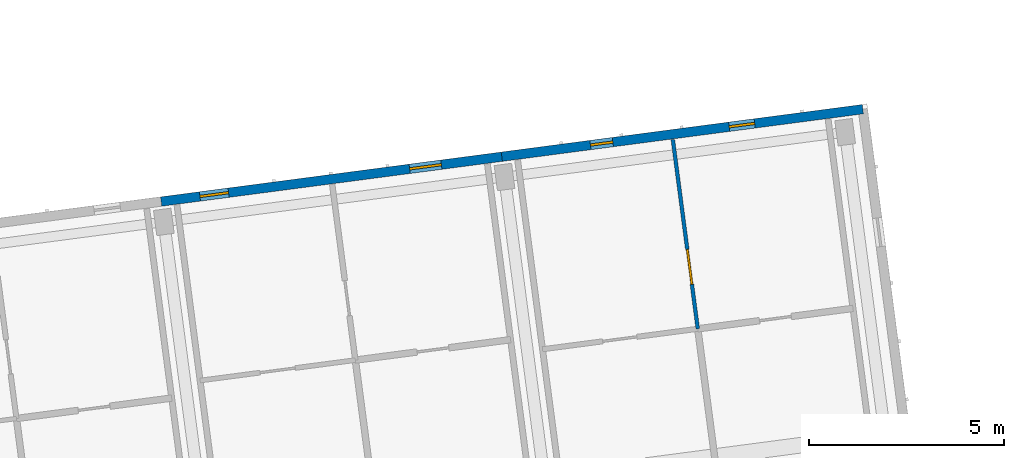
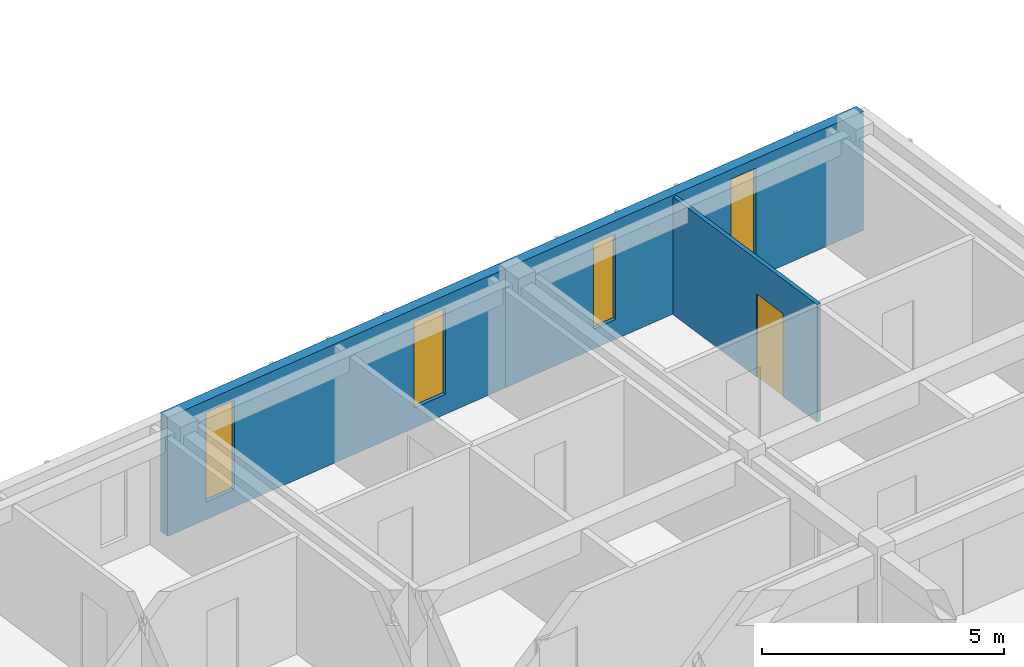
# One storey, part 15 of 34: 4 windows, 3 walls, 1 door, 5 openings.
"""IFC4 building model written with IfcOpenShell, lengths in metres."""

from ifc_helpers import new_model, si_unit, direction, frame, frame_2d, origin, place, context, subcontext, project, spatial, rectangle, extrude, material, layer, layer_set, type_object, element, fill, save


model = new_model("IFC4")

# Units and contexts
model_context = context("Model", 3, precision=1e-05, world=origin(), true_north=direction((0.0, 1.0)))
body_context = subcontext(model_context, "Body", "Model", "MODEL_VIEW")
ifc_project = project(units=[si_unit("LENGTHUNIT", "METRE"), si_unit("AREAUNIT", "SQUARE_METRE"), si_unit("VOLUMEUNIT", "CUBIC_METRE"), si_unit("PLANEANGLEUNIT", "RADIAN"), si_unit("MASSUNIT", "GRAM", prefix="KILO")], contexts=[model_context])

# Site, building, storey
site_placement = place(None, origin())
site = spatial("IfcSite", under=ifc_project, at=site_placement, CompositionType="ELEMENT")
building_placement = place(site_placement, origin())
building = spatial("IfcBuilding", under=site, at=building_placement, Name="Kestramere Prow Commons", CompositionType="ELEMENT")
storey_placement = place(building_placement, frame((0.0, 0.0, 34.39990234375)))
storey = spatial("IfcBuildingStorey", under=building, at=storey_placement, Name="L10", CompositionType="ELEMENT", Elevation=34.39990234375)

# Wall, openings, windows
ifc_material_1 = material(Name="Fluoropolymer Standing-Seam Zinc-Aluminium Cladding", Category="aluminium")
ifc_layer_1 = layer(ifc_material_1, 0.239990234375)
ifc_layer_set_1 = layer_set([ifc_layer_1], Name="Fluoropolymer Standing-Seam Zinc-Aluminium Cladding")
wall_type_1 = type_object("IfcWallType", Name="EW-SEAM-240", PredefinedType="SOLIDWALL", material=ifc_layer_set_1)
wall_1_placement = place(storey_placement, frame((43.419921875, 96.94384765625, 0.0), z_axis=(0.0, 0.0, 1.0), x_axis=(0.991443905089, 0.130533455715, 0.0)))
wall_1 = element("IfcWall", 1, at=wall_1_placement, inside=storey, type_object=wall_type_1, Name="Block A L10 North Standing-Seam Wall 5", PredefinedType="SOLIDWALL", context=body_context, shape_type="SweptSolid", body=[
    extrude(rectangle(XDim=8.7998046875, YDim=0.239990234375, at=frame_2d((4.39990234375, 0.0))), origin(), (0.0, 0.0, 1.0), 3.0),
])
opening_1_placement = place(wall_1_placement, frame((1.000732421875, 0.0, 0.43994140625)))
opening_1 = element("IfcOpeningElement", 2, at=opening_1_placement, cuts=wall_1, Name="Opening WN-09", PredefinedType="OPENING", context=body_context, shape_type="SweptSolid", body=[
    extrude(rectangle(XDim=0.739990234375, YDim=2.260009765625, at=frame_2d((0.3701171875, 1.1298828125))), frame((0.0, 0.135009765625, 0.0), z_axis=(0.0, -1.0, 0.0), x_axis=(1.0, 0.0, 0.0)), (0.0, 0.0, 1.0), 0.27001953125),
])
opening_2_placement = place(wall_1_placement, frame((6.41796875, 0.0, 0.5)))
opening_2 = element("IfcOpeningElement", 3, at=opening_2_placement, cuts=wall_1, Name="Opening WN-13", PredefinedType="OPENING", context=body_context, shape_type="SweptSolid", body=[
    extrude(rectangle(XDim=0.820068359375, YDim=2.179931640625, at=frame_2d((0.41015625, 1.08984375))), frame((0.0, 0.135009765625, 0.0), z_axis=(0.0, -1.0, 0.0), x_axis=(1.0, 0.0, 0.0)), (0.0, 0.0, 1.0), 0.27001953125),
])
ifc_material_2 = material(Name="Low-E Laminated Double Glazing", Category="glass")
window_type_1 = type_object("IfcWindowType", Name="WN-NAR-740A", PartitioningType="SINGLE_PANEL", PredefinedType="WINDOW", material=ifc_material_2)
window_1_placement = place(opening_1_placement, origin())
window_1 = element("IfcWindow", 4, at=window_1_placement, inside=storey, type_object=window_type_1, Name="WN-A-L10-N-4-0", OverallHeight=2.260009765625, OverallWidth=0.739990234375, PartitioningType="SINGLE_PANEL", PredefinedType="WINDOW", context=body_context, shape_type="SweptSolid", body=[
    extrude(rectangle(XDim=0.739990234375, YDim=2.260009765625, at=frame_2d((0.3701171875, 1.1298828125))), frame((0.0, 0.030029296875, 0.0), z_axis=(0.0, -1.0, 0.0), x_axis=(1.0, 0.0, 0.0)), (0.0, 0.0, 1.0), 0.06005859375),
])
fill(opening_1, window_1)
window_type_2 = type_object("IfcWindowType", Name="WN-NAR-820A", PartitioningType="DOUBLE_PANEL_VERTICAL", PredefinedType="WINDOW", material=ifc_material_2)
window_2_placement = place(opening_2_placement, origin())
window_2 = element("IfcWindow", 5, at=window_2_placement, inside=storey, type_object=window_type_2, Name="WN-A-L10-N-4-1", OverallHeight=2.179931640625, OverallWidth=0.820068359375, PartitioningType="SINGLE_PANEL", PredefinedType="WINDOW", context=body_context, shape_type="SweptSolid", body=[
    extrude(rectangle(XDim=0.820068359375, YDim=2.179931640625, at=frame_2d((0.41015625, 1.08984375))), frame((0.0, 0.030029296875, 0.0), z_axis=(0.0, -1.0, 0.0), x_axis=(1.0, 0.0, 0.0)), (0.0, 0.0, 1.0), 0.06005859375),
])
fill(opening_2, window_2)

wall_2_placement = place(storey_placement, frame((52.14453125, 98.092529296875, 0.0), z_axis=(0.0, 0.0, 1.0), x_axis=(0.991442885224, 0.130541201693, 0.0)))
wall_2 = element("IfcWall", 6, at=wall_2_placement, inside=storey, type_object=wall_type_1, Name="Block A L10 North Standing-Seam Wall 6", PredefinedType="SOLIDWALL", context=body_context, shape_type="SweptSolid", body=[
    extrude(rectangle(XDim=9.324951171875, YDim=0.239990234375, at=frame_2d((4.66259765625, 0.0))), origin(), (0.0, 0.0, 1.0), 3.0),
])
opening_3_placement = place(wall_2_placement, frame((2.287841796875, 0.0, 0.5)))
opening_3 = element("IfcOpeningElement", 7, at=opening_3_placement, cuts=wall_2, Name="Opening WN-01", PredefinedType="OPENING", context=body_context, shape_type="SweptSolid", body=[
    extrude(rectangle(XDim=0.580078125, YDim=2.159912109375, at=frame_2d((0.2900390625, 1.080078125))), frame((0.0, 0.135009765625, 0.0), z_axis=(0.0, -1.0, 0.0), x_axis=(1.0, 0.0, 0.0)), (0.0, 0.0, 1.0), 0.27001953125),
])
opening_4_placement = place(wall_2_placement, frame((5.872802734375, 0.0, 0.43994140625)))
opening_4 = element("IfcOpeningElement", 8, at=opening_4_placement, cuts=wall_2, Name="Opening WN-05", PredefinedType="OPENING", context=body_context, shape_type="SweptSolid", body=[
    extrude(rectangle(XDim=0.659912109375, YDim=2.320068359375, at=frame_2d((0.330078125, 1.16015625))), frame((0.0, 0.135009765625, 0.0), z_axis=(0.0, -1.0, 0.0), x_axis=(1.0, 0.0, 0.0)), (0.0, 0.0, 1.0), 0.27001953125),
])
window_type_3 = type_object("IfcWindowType", Name="WN-NAR-580A", PartitioningType="SINGLE_PANEL", PredefinedType="WINDOW", material=ifc_material_2)
window_3_placement = place(opening_3_placement, origin())
window_3 = element("IfcWindow", 9, at=window_3_placement, inside=storey, type_object=window_type_3, Name="WN-A-L10-N-5-0", OverallHeight=2.159912109375, OverallWidth=0.580078125, PartitioningType="SINGLE_PANEL", PredefinedType="WINDOW", context=body_context, shape_type="SweptSolid", body=[
    extrude(rectangle(XDim=0.580078125, YDim=2.159912109375, at=frame_2d((0.2900390625, 1.080078125))), frame((0.0, 0.030029296875, 0.0), z_axis=(0.0, -1.0, 0.0), x_axis=(1.0, 0.0, 0.0)), (0.0, 0.0, 1.0), 0.06005859375),
])
fill(opening_3, window_3)
window_type_4 = type_object("IfcWindowType", Name="WN-NAR-660A", PartitioningType="SINGLE_PANEL", PredefinedType="WINDOW", material=ifc_material_2)
window_4_placement = place(opening_4_placement, origin())
window_4 = element("IfcWindow", 10, at=window_4_placement, inside=storey, type_object=window_type_4, Name="WN-A-L10-N-5-1", OverallHeight=2.320068359375, OverallWidth=0.659912109375, PartitioningType="SINGLE_PANEL", PredefinedType="WINDOW", context=body_context, shape_type="SweptSolid", body=[
    extrude(rectangle(XDim=0.659912109375, YDim=2.320068359375, at=frame_2d((0.330078125, 1.16015625))), frame((0.0, 0.030029296875, 0.0), z_axis=(0.0, -1.0, 0.0), x_axis=(1.0, 0.0, 0.0)), (0.0, 0.0, 1.0), 0.06005859375),
])
fill(opening_4, window_4)

# Wall, opening, door
ifc_material_3 = material(Name="Gypsum Acoustic Drywall")
ifc_layer_2 = layer(ifc_material_3, 0.094970703125)
ifc_layer_set_2 = layer_set([ifc_layer_2], Name="Gypsum Acoustic Drywall")
wall_type_2 = type_object("IfcWallType", Name="W-PART-95", PredefinedType="PARTITIONING", material=ifc_layer_set_2)
wall_3_placement = place(storey_placement, frame((57.162841796875, 93.684814453125, 0.0), z_axis=(0.0, 0.0, 1.0), x_axis=(-0.130557831536, 0.991440695465, 0.0)))
wall_3 = element("IfcWall", 11, at=wall_3_placement, inside=storey, type_object=wall_type_2, Name="Interior Partition PW-A-L10-LB-N5", PredefinedType="PARTITIONING", context=body_context, shape_type="SweptSolid", body=[
    extrude(rectangle(XDim=4.889892578125, YDim=0.094970703125, at=frame_2d((2.44482421875, 0.0))), origin(), (0.0, 0.0, 1.0), 2.97021484375),
])
opening_5_placement = place(wall_3_placement, frame((1.14990234375, 0.0, 0.0)))
opening_5 = element("IfcOpeningElement", 12, at=opening_5_placement, cuts=wall_3, Name="Opening ID-08", PredefinedType="OPENING", context=body_context, shape_type="SweptSolid", body=[
    extrude(rectangle(XDim=0.89990234375, YDim=2.10009765625, at=frame_2d((0.449951171875, 1.050048828125))), frame((0.0, 0.0625, 0.0), z_axis=(0.0, -1.0, 0.0), x_axis=(1.0, 0.0, 0.0)), (0.0, 0.0, 1.0), 0.125),
])
ifc_material_4 = material(Name="Engineered Timber Flush Door", Category="wood")
door_type = type_object("IfcDoorType", Name="D-RM-01", OperationType="NOTDEFINED", PredefinedType="DOOR", material=ifc_material_4)
door_placement = place(opening_5_placement, origin())
door = element("IfcDoor", 13, at=door_placement, inside=storey, type_object=door_type, Name="Interior Door DR-A-L10-BED-N5", OperationType="SINGLE_SWING_LEFT", OverallHeight=2.10009765625, OverallWidth=0.89990234375, PredefinedType="DOOR", context=body_context, shape_type="SweptSolid", body=[
    extrude(rectangle(XDim=0.89990234375, YDim=2.10009765625, at=frame_2d((0.449951171875, 1.050048828125))), frame((0.0, 0.02490234375, 0.0), z_axis=(0.0, -1.0, 0.0), x_axis=(1.0, 0.0, 0.0)), (0.0, 0.0, 1.0), 0.050048828125),
])
fill(opening_5, door)

save(model, "model.ifc")
